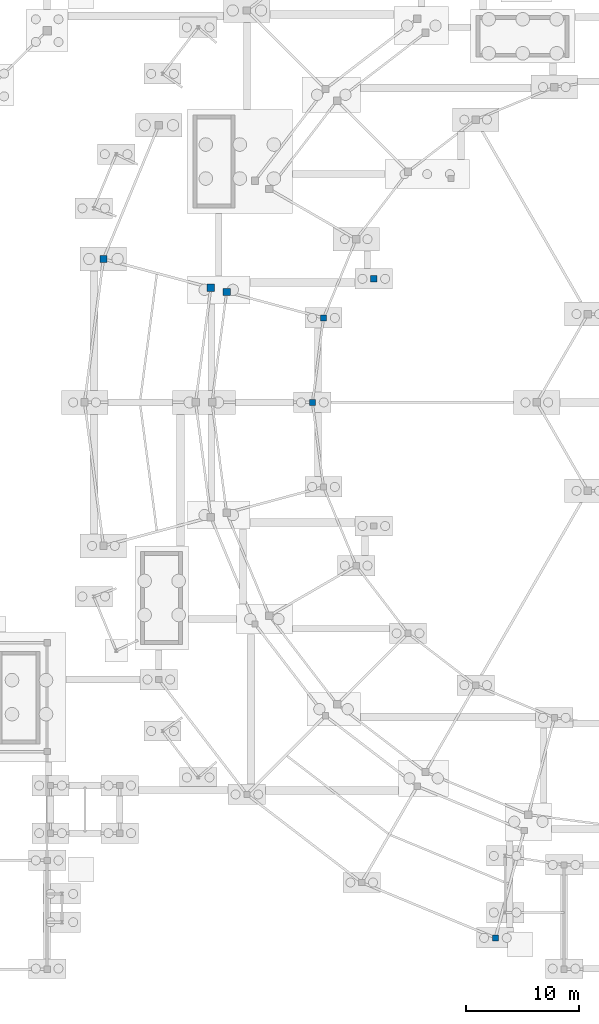
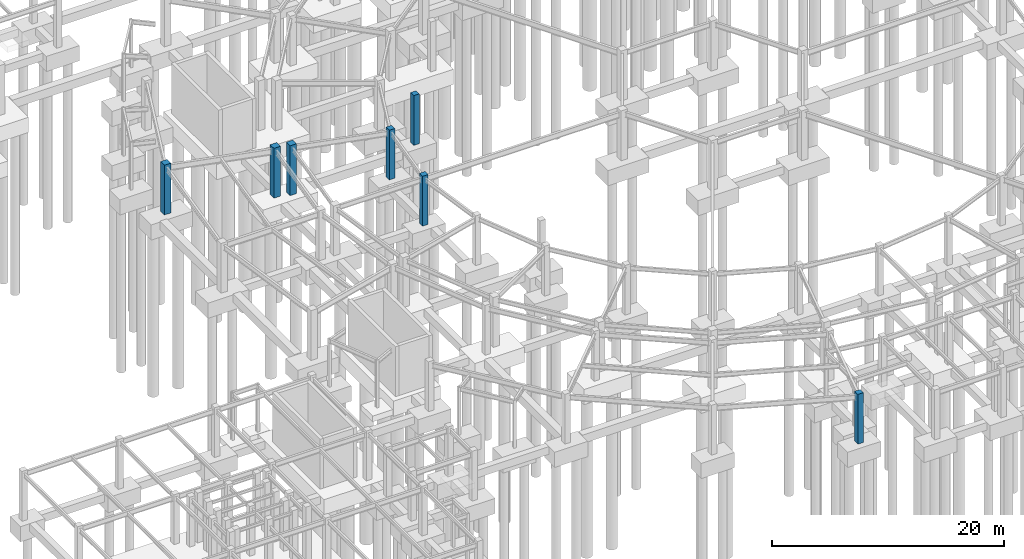
# One storey, part 14 of 55: 7 columns.
"""IFC4 building model written with IfcOpenShell, lengths in metres."""

from ifc_helpers import new_model, si_unit, direction, frame, origin, origin_2d, place, context, subcontext, project, spatial, rectangle, extrude, material, material_profile, profile_set, type_object, element, save


model = new_model("IFC4")

# Units and contexts
model_context = context("Model", 3, precision=1e-05, world=origin(), true_north=direction((0.0, 1.0)))
body_context = subcontext(model_context, "Body", "Model", "MODEL_VIEW")
ifc_project = project(units=[si_unit("LENGTHUNIT", "METRE"), si_unit("AREAUNIT", "SQUARE_METRE"), si_unit("VOLUMEUNIT", "CUBIC_METRE"), si_unit("PLANEANGLEUNIT", "RADIAN"), si_unit("MASSUNIT", "GRAM", prefix="KILO")], contexts=[model_context])

# Site, building, storey
site_placement = place(None, origin())
site = spatial("IfcSite", under=ifc_project, at=site_placement, CompositionType="ELEMENT")
building_placement = place(site_placement, origin())
building = spatial("IfcBuilding", under=site, at=building_placement, Name="Almandine Court Research Institute", CompositionType="ELEMENT")
storey_placement = place(building_placement, frame((0.0, 0.0, -5.25)))
storey = spatial("IfcBuildingStorey", under=building, at=storey_placement, Name="B1", CompositionType="ELEMENT", Elevation=-5.25)

# Columns
ifc_material = material(Name="Concrete C40/50", Category="concrete")
ifc_material_profile_1 = material_profile(ifc_material, rectangle(XDim=0.64990234375, YDim=0.64990234375, at=origin_2d()), Name="RC 650x650")
ifc_profile_set_1 = profile_set([ifc_material_profile_1], Name="Concrete C40/50")
column_type_1 = type_object("IfcColumnType", Name="Col-C-RC2", PredefinedType="COLUMN", material=ifc_profile_set_1)
for number, where, z_axis, x_axis, name in (
    (1, (49.23193359375, 66.1201171875, 0.0), (0.0, 0.0, 1.0), (1.0, 0.0, 0.0), "B1 V5 Column V5-IN-S11"),
    (2, (39.76611328125, 68.656005859375, 0.0), (0.0, 0.0, 1.0), (1.0, 0.0, 0.0), "B1 V5 Column V5-OUT-S11"),
    (3, (50.633056640625, 65.7451171875, 0.0), (0.0, 0.0, 1.0), (1.0, 0.0, 0.0), "B1 V2 Column V2-OUT-S11"),
):
    element("IfcColumn", number, at=place(storey_placement, frame(where, z_axis=z_axis, x_axis=x_axis)), inside=storey, type_object=column_type_1, Name=name, PredefinedType="COLUMN", context=body_context, shape_type="SweptSolid", body=[
        extrude(rectangle(XDim=0.64990234375, YDim=0.64990234375, at=origin_2d()), origin(), (0.0, 0.0, 1.0), 5.25),
    ])
ifc_material_profile_2 = material_profile(ifc_material, rectangle(XDim=0.550048828125, YDim=0.550048828125, at=origin_2d()), Name="RC 550x550")
ifc_profile_set_2 = profile_set([ifc_material_profile_2], Name="Concrete C40/50")
column_type_2 = type_object("IfcColumnType", Name="Col-C-RC3", PredefinedType="COLUMN", material=ifc_profile_set_2)
for number, where, z_axis, x_axis, name in (
    (4, (74.343994140625, 8.76611328125, 0.0), (0.0, 0.0, 1.0), (1.0, 0.0, 0.0), "B1 V5 Column V5-OUT-S17"),
    (5, (59.180908203125, 63.4541015625, 0.0), (0.0, 0.0, 1.0), (1.0, 0.0, 0.0), "B1 V2 Column V2-MID-S11"),
    (6, (58.199951171875, 56.0, 0.0), (0.0, 0.0, 1.0), (1.0, 0.0, 0.0), "B1 V2 Column V2-MID-S12"),
    (7, (63.616943359375, 66.904052734375, 0.0), (0.0, 0.0, 1.0), (1.0, 0.0, 0.0), "B1 V2 Column STAT4"),
):
    element("IfcColumn", number, at=place(storey_placement, frame(where, z_axis=z_axis, x_axis=x_axis)), inside=storey, type_object=column_type_2, Name=name, PredefinedType="COLUMN", context=body_context, shape_type="SweptSolid", body=[
        extrude(rectangle(XDim=0.550048828125, YDim=0.550048828125, at=origin_2d()), origin(), (0.0, 0.0, 1.0), 5.25),
    ])

save(model, "model.ifc")
